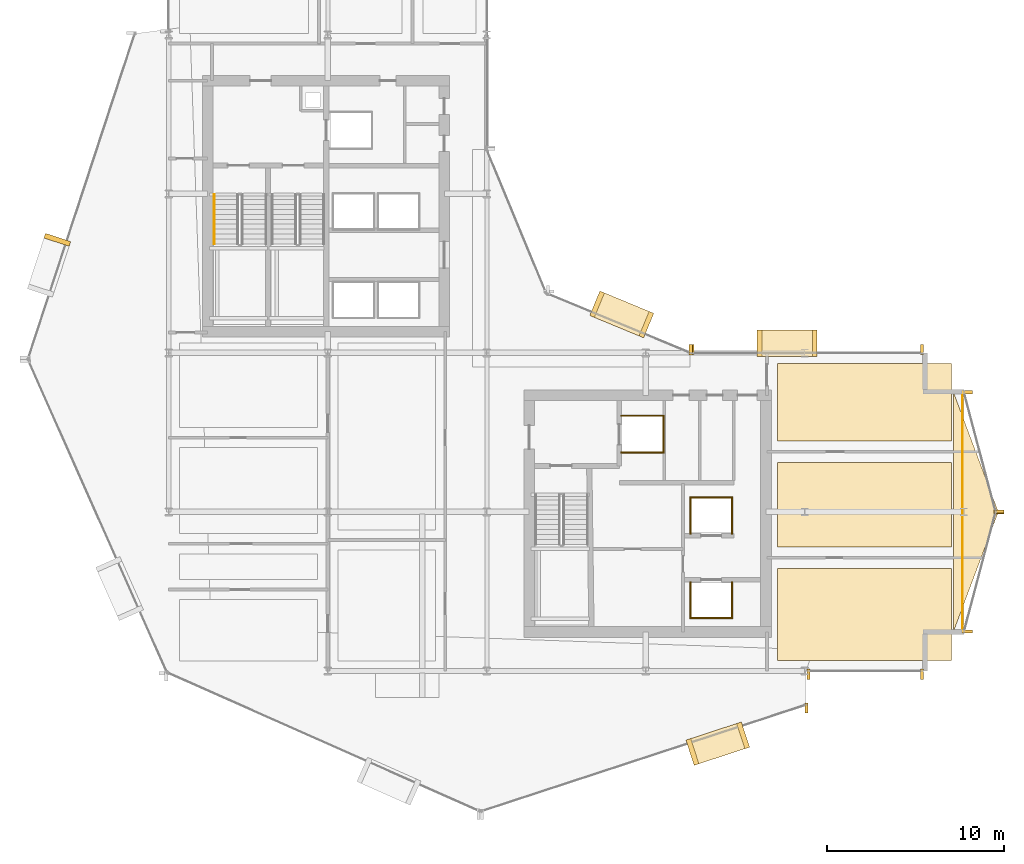
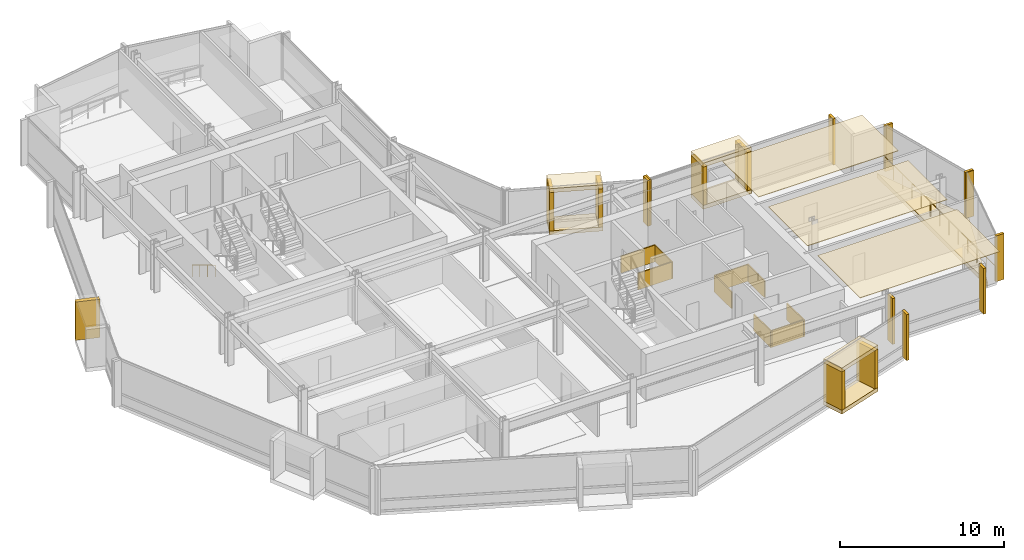
# One storey, part 28 of 29: 36 coverings, 2 railings.
"""IFC4 building model written with IfcOpenShell, lengths in metres."""

from ifc_helpers import new_model, si_unit, direction, frame, origin, origin_2d, place, context, subcontext, project, spatial, polyline, rectangle, circle, outline, extrude, material, layer, layer_set, type_object, element, save


model = new_model("IFC4")

# Units and contexts
model_context = context("Model", 3, precision=1e-05, world=origin(), true_north=direction((0.0, 1.0)))
body_context = subcontext(model_context, "Body", "Model", "MODEL_VIEW")
ifc_project = project(units=[si_unit("LENGTHUNIT", "METRE"), si_unit("AREAUNIT", "SQUARE_METRE"), si_unit("VOLUMEUNIT", "CUBIC_METRE"), si_unit("PLANEANGLEUNIT", "RADIAN"), si_unit("MASSUNIT", "GRAM", prefix="KILO")], contexts=[model_context])

# Site, building, storey
site_placement = place(None, origin())
site = spatial("IfcSite", under=ifc_project, at=site_placement, CompositionType="ELEMENT")
building_placement = place(site_placement, origin())
building = spatial("IfcBuilding", under=site, at=building_placement, Name="Solvaryn Broadcast Tower", CompositionType="ELEMENT")
storey_placement = place(building_placement, frame((0.0, 0.0, 113.699951171875)))
storey = spatial("IfcBuildingStorey", under=building, at=storey_placement, Name="L27", CompositionType="ELEMENT", Elevation=113.699951171875)

# Coverings
ifc_material_1 = material(Name="Micro-Perforated Acoustic Gypsum Ceiling", Category="concrete")
ifc_layer_1 = layer(ifc_material_1, 0.0400390625)
ifc_layer_set_1 = layer_set([ifc_layer_1], Name="CV-CEIL-ACOUSTIC")
covering_type_1 = type_object("IfcCoveringType", Name="CV-CEIL-ACOUSTIC", PredefinedType="CEILING", material=ifc_layer_set_1)
covering_1_placement = place(storey_placement, frame((0.0, 0.0, 3.380126953125)))
element("IfcCovering", 1, at=covering_1_placement, inside=storey, type_object=covering_type_1, Name="L27 Room Acoustic Ceiling 10", PredefinedType="CEILING", context=body_context, shape_type="SweptSolid", body=[
    extrude(outline(polyline([(43.449951171875, 9.60009765625), (53.300048828125, 9.60009765625), (53.300048828125, 14.800048828125), (43.449951171875, 14.800048828125), (43.449951171875, 9.60009765625)])), origin(), (0.0, 0.0, 1.0), 0.0400390625),
])
covering_2_placement = place(storey_placement, frame((0.0, 0.0, 3.380126953125)))
element("IfcCovering", 2, at=covering_2_placement, inside=storey, type_object=covering_type_1, Name="L27 Room Acoustic Ceiling 11", PredefinedType="CEILING", context=body_context, shape_type="SweptSolid", body=[
    extrude(outline(polyline([(43.449951171875, 16.0), (53.300048828125, 16.0), (53.300048828125, 20.800048828125), (43.449951171875, 20.800048828125), (43.449951171875, 16.0)])), origin(), (0.0, 0.0, 1.0), 0.0400390625),
])
covering_3_placement = place(storey_placement, frame((0.0, 0.0, 3.380126953125)))
element("IfcCovering", 3, at=covering_3_placement, inside=storey, type_object=covering_type_1, Name="L27 Room Acoustic Ceiling 12", PredefinedType="CEILING", context=body_context, shape_type="SweptSolid", body=[
    extrude(outline(polyline([(43.449951171875, 22.0), (53.300048828125, 22.0), (53.300048828125, 26.39990234375), (43.449951171875, 26.39990234375), (43.449951171875, 22.0)])), origin(), (0.0, 0.0, 1.0), 0.0400390625),
])
ifc_material_2 = material(Name="Fire-Rated Gypsum Shaftwall Liner", Category="concrete")
ifc_layer_2 = layer(ifc_material_2, 0.080078125)
ifc_layer_set_2 = layer_set([ifc_layer_2], Name="CV-SHAFT-LINER")
covering_type_2 = type_object("IfcCoveringType", Name="CV-SHAFT-LINER", PredefinedType="CLADDING", material=ifc_layer_set_2)
for number, where, z_axis, x_axis, name in (
    (4, (35.800048828125, 23.43994140625, 0.0), (0.0, 0.0, 1.0), (1.0, 0.0, 0.0), "L27 FL2 Hoistway Shaft Liner North"),
    (5, (35.800048828125, 21.360107421875, 0.0), (0.0, 0.0, 1.0), (1.0, 0.0, 0.0), "L27 FL2 Hoistway Shaft Liner South"),
):
    element("IfcCovering", number, at=place(storey_placement, frame(where, z_axis=z_axis, x_axis=x_axis)), inside=storey, type_object=covering_type_2, Name=name, PredefinedType="CLADDING", context=body_context, shape_type="SweptSolid", body=[
        extrude(rectangle(XDim=2.4599609375, YDim=0.080078125, at=origin_2d()), origin(), (0.0, 0.0, 1.0), 1.25),
    ])
covering_4_placement = place(storey_placement, frame((36.989990234375, 22.39990234375, 0.0), z_axis=(0.0, 0.0, 1.0), x_axis=(1.0, 0.0, 0.0)))
element("IfcCovering", 6, at=covering_4_placement, inside=storey, type_object=covering_type_2, Name="L27 FL2 Hoistway Shaft Liner East", PredefinedType="CLADDING", context=body_context, shape_type="SweptSolid", body=[
    extrude(rectangle(XDim=0.080078125, YDim=2.159912109375, at=origin_2d()), origin(), (0.0, 0.0, 1.0), 1.25),
])
covering_5_placement = place(storey_placement, frame((39.699951171875, 11.985107421875, 0.0), z_axis=(0.0, 0.0, 1.0), x_axis=(1.0, 0.0, 0.0)))
element("IfcCovering", 7, at=covering_5_placement, inside=storey, type_object=covering_type_2, Name="L27 PM1 Hoistway Shaft Liner South", PredefinedType="CLADDING", context=body_context, shape_type="SweptSolid", body=[
    extrude(rectangle(XDim=2.409912109375, YDim=0.080078125, at=origin_2d()), origin(), (0.0, 0.0, 1.0), 1.25),
])
for number, where, z_axis, x_axis, name in (
    (8, (40.864990234375, 13.0, 0.0), (0.0, 0.0, 1.0), (1.0, 0.0, 0.0), "L27 PM1 Hoistway Shaft Liner East"),
    (9, (38.534912109375, 13.0, 0.0), (0.0, 0.0, 1.0), (1.0, 0.0, 0.0), "L27 PM1 Hoistway Shaft Liner West"),
):
    element("IfcCovering", number, at=place(storey_placement, frame(where, z_axis=z_axis, x_axis=x_axis)), inside=storey, type_object=covering_type_2, Name=name, PredefinedType="CLADDING", context=body_context, shape_type="SweptSolid", body=[
        extrude(rectangle(XDim=0.080078125, YDim=2.110107421875, at=origin_2d()), origin(), (0.0, 0.0, 1.0), 1.25),
    ])
covering_6_placement = place(storey_placement, frame((39.699951171875, 18.81494140625, 0.0), z_axis=(0.0, 0.0, 1.0), x_axis=(1.0, 0.0, 0.0)))
element("IfcCovering", 10, at=covering_6_placement, inside=storey, type_object=covering_type_2, Name="L27 PM2 Hoistway Shaft Liner North", PredefinedType="CLADDING", context=body_context, shape_type="SweptSolid", body=[
    extrude(rectangle(XDim=2.409912109375, YDim=0.080078125, at=origin_2d()), origin(), (0.0, 0.0, 1.0), 1.25),
])
for number, where, z_axis, x_axis, name in (
    (11, (40.864990234375, 17.800048828125, 0.0), (0.0, 0.0, 1.0), (1.0, 0.0, 0.0), "L27 PM2 Hoistway Shaft Liner East"),
    (12, (38.534912109375, 17.800048828125, 0.0), (0.0, 0.0, 1.0), (1.0, 0.0, 0.0), "L27 PM2 Hoistway Shaft Liner West"),
):
    element("IfcCovering", number, at=place(storey_placement, frame(where, z_axis=z_axis, x_axis=x_axis)), inside=storey, type_object=covering_type_2, Name=name, PredefinedType="CLADDING", context=body_context, shape_type="SweptSolid", body=[
        extrude(rectangle(XDim=0.080078125, YDim=2.110107421875, at=origin_2d()), origin(), (0.0, 0.0, 1.0), 1.25),
    ])
ifc_material_3 = material(Name="Glazed Architectural Terracotta Rainscreen Cladding", Category="masonry")
ifc_layer_3 = layer(ifc_material_3, 0.280029296875)
ifc_layer_set_3 = layer_set([ifc_layer_3], Name="CV-TC-CLAD")
covering_type_3 = type_object("IfcCoveringType", Name="CV-TC-CLAD", PredefinedType="CLADDING", material=ifc_layer_set_3)
covering_7_placement = place(storey_placement, frame((2.693603515625, 33.396728515625, 0.27978515625), z_axis=(0.0, 0.0, 1.0), x_axis=(-0.311671636848, -0.950189870912, 0.0)))
element("IfcCovering", 13, at=covering_7_placement, inside=storey, type_object=covering_type_3, Name="L27 Projecting Stone Window Box Cheek 1-1", PredefinedType="CLADDING", context=body_context, shape_type="SweptSolid", body=[
    extrude(rectangle(XDim=0.280029296875, YDim=1.5, at=origin_2d()), origin(), (0.0, 0.0, 1.0), 2.860107421875),
])
for number, where, z_axis, x_axis, name in (
    (14, (40.071044921875, 4.883056640625, 3.1298828125), (0.0, 0.0, 1.0), (0.950189870912, 0.311671636848, 0.0), "L27 Projecting Stone Window Box Hood 4"),
    (15, (40.071044921875, 4.883056640625, -0.009765625), (0.0, 0.0, 1.0), (0.950189870912, 0.311671636848, 0.0), "L27 Projecting Stone Window Box Sill 4"),
):
    element("IfcCovering", number, at=place(storey_placement, frame(where, z_axis=z_axis, x_axis=x_axis)), inside=storey, type_object=covering_type_3, Name=name, PredefinedType="CLADDING", context=body_context, shape_type="SweptSolid", body=[
        extrude(rectangle(XDim=3.300048828125, YDim=1.5, at=origin_2d()), origin(), (0.0, 0.0, 1.0), 0.300048828125),
    ])
for number, where, z_axis, x_axis, name in (
    (16, (38.63623046875, 4.412353515625, 0.27978515625), (0.0, 0.0, 1.0), (0.950189870912, 0.311671636848, 0.0), "L27 Projecting Stone Window Box Cheek 4-1"),
    (17, (41.505859375, 5.353515625, 0.27978515625), (0.0, 0.0, 1.0), (0.950189870912, 0.311671636848, 0.0), "L27 Projecting Stone Window Box Cheek 4-2"),
):
    element("IfcCovering", number, at=place(storey_placement, frame(where, z_axis=z_axis, x_axis=x_axis)), inside=storey, type_object=covering_type_3, Name=name, PredefinedType="CLADDING", context=body_context, shape_type="SweptSolid", body=[
        extrude(rectangle(XDim=0.280029296875, YDim=1.5, at=origin_2d()), origin(), (0.0, 0.0, 1.0), 2.860107421875),
    ])
for number, where, z_axis, x_axis, name in (
    (18, (34.636962890625, 29.174072265625, 3.1298828125), (0.0, 0.0, 1.0), (-0.923879532511, 0.382683432365, 0.0), "L27 Projecting Stone Window Box Hood 5"),
    (19, (34.636962890625, 29.174072265625, -0.009765625), (0.0, 0.0, 1.0), (-0.923879532511, 0.382683432365, 0.0), "L27 Projecting Stone Window Box Sill 5"),
):
    element("IfcCovering", number, at=place(storey_placement, frame(where, z_axis=z_axis, x_axis=x_axis)), inside=storey, type_object=covering_type_3, Name=name, PredefinedType="CLADDING", context=body_context, shape_type="SweptSolid", body=[
        extrude(rectangle(XDim=3.300048828125, YDim=1.5, at=origin_2d()), origin(), (0.0, 0.0, 1.0), 0.300048828125),
    ])
for number, where, z_axis, x_axis, name in (
    (20, (36.031982421875, 28.59619140625, 0.27978515625), (0.0, 0.0, 1.0), (-0.923879532511, 0.382683432365, 0.0), "L27 Projecting Stone Window Box Cheek 5-1"),
    (21, (33.241943359375, 29.751953125, 0.27978515625), (0.0, 0.0, 1.0), (-0.923879532511, 0.382683432365, 0.0), "L27 Projecting Stone Window Box Cheek 5-2"),
):
    element("IfcCovering", number, at=place(storey_placement, frame(where, z_axis=z_axis, x_axis=x_axis)), inside=storey, type_object=covering_type_3, Name=name, PredefinedType="CLADDING", context=body_context, shape_type="SweptSolid", body=[
        extrude(rectangle(XDim=0.280029296875, YDim=1.5, at=origin_2d()), origin(), (0.0, 0.0, 1.0), 2.860107421875),
    ])
for number, where, z_axis, x_axis, name in (
    (22, (44.0, 27.530029296875, 3.1298828125), (0.0, 0.0, 1.0), (1.0, 0.0, 0.0), "L27 Projecting Stone Window Box Hood 6"),
    (23, (44.0, 27.530029296875, -0.009765625), (0.0, 0.0, 1.0), (1.0, 0.0, 0.0), "L27 Projecting Stone Window Box Sill 6"),
):
    element("IfcCovering", number, at=place(storey_placement, frame(where, z_axis=z_axis, x_axis=x_axis)), inside=storey, type_object=covering_type_3, Name=name, PredefinedType="CLADDING", context=body_context, shape_type="SweptSolid", body=[
        extrude(rectangle(XDim=3.39990234375, YDim=1.5, at=origin_2d()), origin(), (0.0, 0.0, 1.0), 0.300048828125),
    ])
for number, where, z_axis, x_axis, name in (
    (24, (42.43994140625, 27.530029296875, 0.27978515625), (0.0, 0.0, 1.0), (1.0, 0.0, 0.0), "L27 Projecting Stone Window Box Cheek 6-1"),
    (25, (45.56005859375, 27.530029296875, 0.27978515625), (0.0, 0.0, 1.0), (1.0, 0.0, 0.0), "L27 Projecting Stone Window Box Cheek 6-2"),
):
    element("IfcCovering", number, at=place(storey_placement, frame(where, z_axis=z_axis, x_axis=x_axis)), inside=storey, type_object=covering_type_3, Name=name, PredefinedType="CLADDING", context=body_context, shape_type="SweptSolid", body=[
        extrude(rectangle(XDim=0.280029296875, YDim=1.5, at=origin_2d()), origin(), (0.0, 0.0, 1.0), 2.860107421875),
    ])
ifc_material_4 = material(Name="Extruded Architectural Terracotta Fin", Category="masonry")
ifc_layer_4 = layer(ifc_material_4, 0.179931640625)
ifc_layer_set_4 = layer_set([ifc_layer_4], Name="CV-TC-FIN")
covering_type_4 = type_object("IfcCoveringType", Name="CV-TC-FIN", PredefinedType="USERDEFINED", material=ifc_layer_set_4)
for number, where, z_axis, x_axis, name in (
    (26, (45.0947265625, 6.898681640625, 0.0), (0.0, 0.0, 1.0), (1.0, 0.0, 0.0), "L27 Terracotta Vertical Fin FIN-L27-DR4-M01"),
    (27, (38.541259765625, 27.177978515625, 0.0), (0.0, 0.0, 1.0), (1.0, 0.0, 0.0), "L27 Terracotta Vertical Fin FIN-L27-CN1-M00"),
    (28, (45.197021484375, 8.8125, 0.0), (0.0, 0.0, 1.0), (1.0, 0.0, 0.0), "L27 Terracotta Vertical Fin FIN-L27-S2-M00"),
    (29, (51.6201171875, 8.8125, 0.0), (0.0, 0.0, 1.0), (1.0, 0.0, 0.0), "L27 Terracotta Vertical Fin FIN-L27-S2-M01"),
):
    element("IfcCovering", number, at=place(storey_placement, frame(where, z_axis=z_axis, x_axis=x_axis)), inside=storey, type_object=covering_type_4, Name=name, ObjectType="FIN", PredefinedType="USERDEFINED", context=body_context, shape_type="SweptSolid", body=[
        extrude(rectangle(XDim=0.179931640625, YDim=0.580078125, at=origin_2d()), origin(), (0.0, 0.0, 1.0), 3.419921875),
    ])
for number, where, z_axis, x_axis, name in (
    (30, (54.1953125, 24.77099609375, 0.0), (0.0, 0.0, 1.0), (1.0, 0.0, 0.0), "L27 Terracotta Vertical Fin FIN-L27-ET1-M00"),
    (31, (55.979736328125, 18.029052734375, 0.0), (0.0, 0.0, 1.0), (1.0, 0.0, 0.0), "L27 Terracotta Vertical Fin FIN-L27-ET1-M01"),
    (32, (55.979736328125, 17.970947265625, 0.0), (0.0, 0.0, 1.0), (1.0, 0.0, 0.0), "L27 Terracotta Vertical Fin FIN-L27-ET2-M00"),
    (33, (54.1953125, 11.22900390625, 0.0), (0.0, 0.0, 1.0), (1.0, 0.0, 0.0), "L27 Terracotta Vertical Fin FIN-L27-ET2-M01"),
):
    element("IfcCovering", number, at=place(storey_placement, frame(where, z_axis=z_axis, x_axis=x_axis)), inside=storey, type_object=covering_type_4, Name=name, ObjectType="FIN", PredefinedType="USERDEFINED", context=body_context, shape_type="SweptSolid", body=[
        extrude(rectangle(XDim=0.580078125, YDim=0.179931640625, at=origin_2d()), origin(), (0.0, 0.0, 1.0), 3.419921875),
    ])
for number, where, z_axis, x_axis, name in (
    (34, (38.6298828125, 27.1875, 0.0), (0.0, 0.0, 1.0), (1.0, 0.0, 0.0), "L27 Terracotta Vertical Fin FIN-L27-IH-M00"),
    (35, (51.6201171875, 27.1875, 0.0), (0.0, 0.0, 1.0), (1.0, 0.0, 0.0), "L27 Terracotta Vertical Fin FIN-L27-IH-M01"),
):
    element("IfcCovering", number, at=place(storey_placement, frame(where, z_axis=z_axis, x_axis=x_axis)), inside=storey, type_object=covering_type_4, Name=name, ObjectType="FIN", PredefinedType="USERDEFINED", context=body_context, shape_type="SweptSolid", body=[
        extrude(rectangle(XDim=0.179931640625, YDim=0.580078125, at=origin_2d()), origin(), (0.0, 0.0, 1.0), 3.419921875),
    ])
ifc_material_5 = material(Name="Sculpted Architectural Terracotta Wave Fascia", Category="masonry")
ifc_layer_5 = layer(ifc_material_5, 0.340087890625)
ifc_layer_set_5 = layer_set([ifc_layer_5], Name="CV-WAVE-TRAY")
covering_type_5 = type_object("IfcCoveringType", Name="CV-WAVE-TRAY", PredefinedType="CLADDING", material=ifc_layer_set_5)
covering_8_placement = place(storey_placement, frame((0.0, 0.0, -0.300048828125)))
element("IfcCovering", 36, at=covering_8_placement, inside=storey, type_object=covering_type_5, Name="L27 East Curved Wing Deck", PredefinedType="CLADDING", context=body_context, shape_type="SweptSolid", body=[
    extrude(outline(polyline([(53.39990234375, 11.199951171875), (55.949951171875, 18.0), (53.39990234375, 24.800048828125), (53.39990234375, 11.199951171875)])), origin(), (0.0, 0.0, 1.0), 0.330078125),
])

# Railings
ifc_material_6 = material(Name="Brushed Stainless Steel Tubular Handrail", Category="steel")
railing_type_1 = type_object("IfcRailingType", Name="RL-STAIR-HANDRAIL", PredefinedType="HANDRAIL", material=ifc_material_6)
railing_1_placement = place(storey_placement, frame((11.570068359375, 35.9599609375, 0.168212890625)))
element("IfcRailing", 37, at=railing_1_placement, inside=storey, type_object=railing_type_1, Name="L27 ST1 stair handrail 1", PredefinedType="HANDRAIL", context=body_context, shape_type="SweptSolid", body=[
    extrude(circle(Radius=0.02392578125, at=origin_2d()), frame((0.0, 0.0, 0.8759765625), z_axis=(0.0, -0.857242210791, 0.514913383045), x_axis=(1.0, 0.0, 0.0)), (0.0, 0.0, 1.0), 3.266357421875),
    extrude(circle(Radius=0.02099609375, at=origin_2d()), origin(), (0.0, 0.0, 1.0), 0.851806640625),
    extrude(circle(Radius=0.02099609375, at=origin_2d()), frame((0.0, -0.933349609375, 0.560546875)), (0.0, 0.0, 1.0), 0.851806640625),
    extrude(circle(Radius=0.02099609375, at=origin_2d()), frame((0.0, -1.86669921875, 1.121337890625)), (0.0, 0.0, 1.0), 0.851806640625),
    extrude(circle(Radius=0.02099609375, at=origin_2d()), frame((0.0, -2.800048828125, 1.681884765625)), (0.0, 0.0, 1.0), 0.851806640625),
])
ifc_material_7 = material(Name="Stainless Steel and Laminated Glass Guard", Category="steel")
railing_type_2 = type_object("IfcRailingType", Name="RL-TER-1150", PredefinedType="BALUSTRADE", material=ifc_material_7)
railing_2_placement = place(storey_placement, frame((53.919921875, 11.199951171875, 0.0)))
element("IfcRailing", 38, at=railing_2_placement, inside=storey, type_object=railing_type_2, Name="L27 East Wing Spandrel Edge Guard", PredefinedType="BALUSTRADE", context=body_context, shape_type="SweptSolid", body=[
    extrude(circle(Radius=0.02392578125, at=origin_2d()), frame((0.0, 0.0, 1.1259765625), z_axis=(0.0, 1.0, 0.0), x_axis=(-1.0, 0.0, 0.0)), (0.0, 0.0, 1.0), 13.60009765625),
    extrude(circle(Radius=0.02099609375, at=origin_2d()), origin(), (0.0, 0.0, 1.0), 1.101806640625),
    extrude(circle(Radius=0.02099609375, at=origin_2d()), frame((0.0, 1.13330078125, 0.0)), (0.0, 0.0, 1.0), 1.101806640625),
    extrude(circle(Radius=0.02099609375, at=origin_2d()), frame((0.0, 2.2666015625, 0.0)), (0.0, 0.0, 1.0), 1.101806640625),
    extrude(circle(Radius=0.02099609375, at=origin_2d()), frame((0.0, 3.39990234375, 0.0)), (0.0, 0.0, 1.0), 1.101806640625),
    extrude(circle(Radius=0.02099609375, at=origin_2d()), frame((0.0, 4.533447265625, 0.0)), (0.0, 0.0, 1.0), 1.101806640625),
    extrude(circle(Radius=0.02099609375, at=origin_2d()), frame((0.0, 5.666748046875, 0.0)), (0.0, 0.0, 1.0), 1.101806640625),
    extrude(circle(Radius=0.02099609375, at=origin_2d()), frame((0.0, 6.800048828125, 0.0)), (0.0, 0.0, 1.0), 1.101806640625),
    extrude(circle(Radius=0.02099609375, at=origin_2d()), frame((0.0, 7.933349609375, 0.0)), (0.0, 0.0, 1.0), 1.101806640625),
    extrude(circle(Radius=0.02099609375, at=origin_2d()), frame((0.0, 9.066650390625, 0.0)), (0.0, 0.0, 1.0), 1.101806640625),
    extrude(circle(Radius=0.02099609375, at=origin_2d()), frame((0.0, 10.2001953125, 0.0)), (0.0, 0.0, 1.0), 1.101806640625),
    extrude(circle(Radius=0.02099609375, at=origin_2d()), frame((0.0, 11.33349609375, 0.0)), (0.0, 0.0, 1.0), 1.101806640625),
    extrude(circle(Radius=0.02099609375, at=origin_2d()), frame((0.0, 12.466796875, 0.0)), (0.0, 0.0, 1.0), 1.101806640625),
    extrude(circle(Radius=0.02099609375, at=origin_2d()), frame((0.0, 13.60009765625, 0.0)), (0.0, 0.0, 1.0), 1.101806640625),
])

save(model, "model.ifc")
